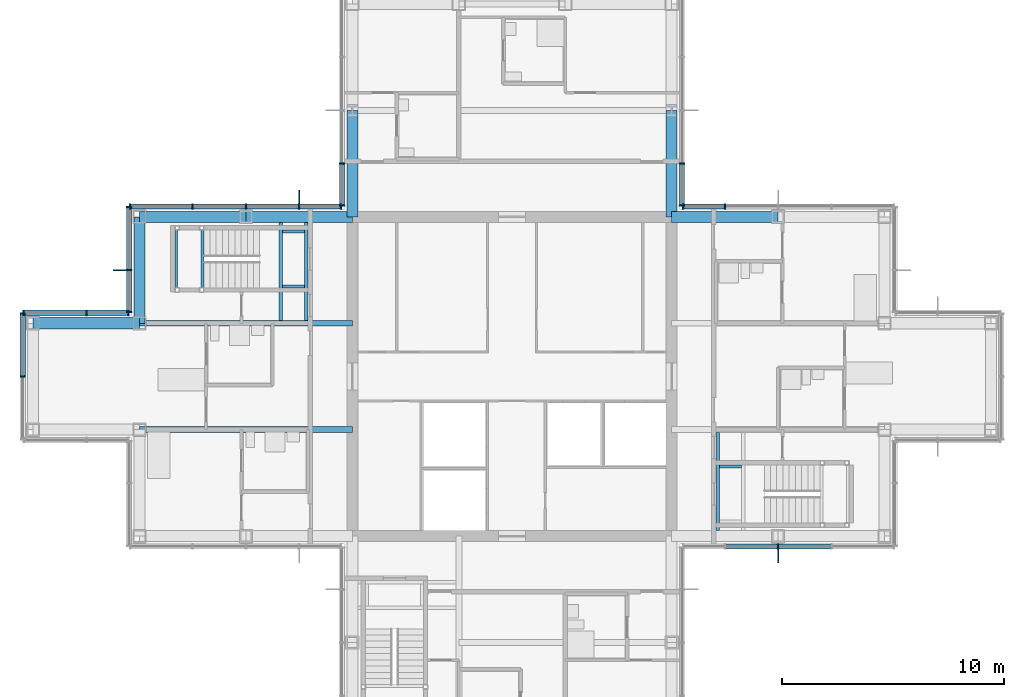
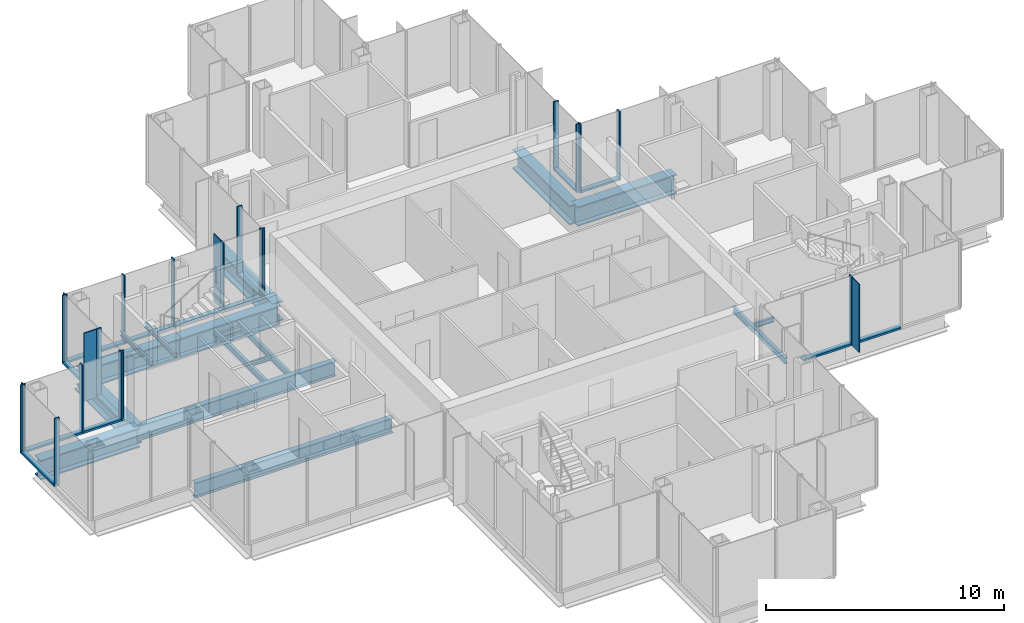
# One storey, part 7 of 17: 37 members, 17 beams, 8 elements without a shape of their own.
"""IFC4 building model written with IfcOpenShell, lengths in metres."""

from ifc_helpers import new_model, si_unit, direction, frame, origin, origin_2d, place, context, subcontext, project, spatial, rectangle, i_section, extrude, material, material_profile, profile_set, type_object, element, aggregate, save


model = new_model("IFC4")

# Units and contexts
model_context = context("Model", 3, precision=1e-05, world=origin(), true_north=direction((0.0, 1.0)))
body_context = subcontext(model_context, "Body", "Model", "MODEL_VIEW")
ifc_project = project(units=[si_unit("LENGTHUNIT", "METRE"), si_unit("AREAUNIT", "SQUARE_METRE"), si_unit("VOLUMEUNIT", "CUBIC_METRE"), si_unit("PLANEANGLEUNIT", "RADIAN"), si_unit("MASSUNIT", "GRAM", prefix="KILO")], contexts=[model_context])

# Site, building, storey
site_placement = place(None, origin())
site = spatial("IfcSite", under=ifc_project, at=site_placement, CompositionType="ELEMENT")
building_placement = place(site_placement, origin())
building = spatial("IfcBuilding", under=site, at=building_placement, Name="Kvirike Care Tower", CompositionType="ELEMENT")
storey_placement = place(building_placement, frame((0.0, 0.0, 169.0)))
storey = spatial("IfcBuildingStorey", under=building, at=storey_placement, Name="L46", CompositionType="ELEMENT", Elevation=169.0)

# Curtain wall, member
ifc_material_1 = material(Name="Anodised aluminium stick system", Category="aluminium")
curtain_wall_type = type_object("IfcCurtainWallType", Name="CW-C STICK CURTAIN WALL", PredefinedType="NOTDEFINED", material=ifc_material_1)
curtain_wall_1_placement = place(storey_placement, origin())
curtain_wall_1 = element("IfcCurtainWall", 1, at=curtain_wall_1_placement, inside=storey, type_object=curtain_wall_type, Name="Curtain wall L46 face 1", PredefinedType="NOTDEFINED")
ifc_material_2 = material(Name="Bronze anodised aluminium fin", Category="aluminium")
ifc_material_profile_1 = material_profile(ifc_material_2, rectangle(XDim=0.050048828125, YDim=0.60009765625, at=origin_2d()), Name="BRONZE FIN 600")
ifc_profile_set_1 = profile_set([ifc_material_profile_1], Name="Bronze anodised aluminium fin")
member_type_1 = type_object("IfcMemberType", Name="BRONZE FIN 600", PredefinedType="USERDEFINED", material=ifc_profile_set_1)
member_1_placement = place(storey_placement, frame((33.60009765625, 27.909912109375, 0.0), z_axis=(0.0, 0.0, 1.0), x_axis=(1.0, 0.0, 0.0)))
member_1 = element("IfcMember", 2, at=member_1_placement, type_object=member_type_1, Name="Bronze fin L46 face 1.3", ObjectType="FIN", PredefinedType="USERDEFINED", context=body_context, shape_type="SweptSolid", body=[
    extrude(rectangle(XDim=0.050048828125, YDim=0.60009765625, at=origin_2d()), origin(), (0.0, 0.0, 1.0), 3.5),
])

curtain_wall_2_placement = place(storey_placement, origin())
curtain_wall_2 = element("IfcCurtainWall", 3, at=curtain_wall_2_placement, inside=storey, type_object=curtain_wall_type, Name="Curtain wall L46 face 15", PredefinedType="NOTDEFINED")
member_2_placement = place(storey_placement, frame((12.0, 44.090087890625, 0.0), z_axis=(0.0, 0.0, 1.0), x_axis=(-1.0, 0.0, 0.0)))
member_2 = element("IfcMember", 4, at=member_2_placement, type_object=member_type_1, Name="Bronze fin L46 face 15.2", ObjectType="FIN", PredefinedType="USERDEFINED", context=body_context, shape_type="SweptSolid", body=[
    extrude(rectangle(XDim=0.050048828125, YDim=0.60009765625, at=origin_2d()), origin(), (0.0, 0.0, 1.0), 3.5),
])

curtain_wall_3_placement = place(storey_placement, origin())
curtain_wall_3 = element("IfcCurtainWall", 5, at=curtain_wall_3_placement, inside=storey, type_object=curtain_wall_type, Name="Curtain wall L46 face 16", PredefinedType="NOTDEFINED")
member_3_placement = place(storey_placement, frame((3.909912109375, 40.800048828125, 0.0), z_axis=(0.0, 0.0, 1.0), x_axis=(0.0, -1.0, 0.0)))
member_3 = element("IfcMember", 6, at=member_3_placement, type_object=member_type_1, Name="Bronze fin L46 face 16.2", ObjectType="FIN", PredefinedType="USERDEFINED", context=body_context, shape_type="SweptSolid", body=[
    extrude(rectangle(XDim=0.050048828125, YDim=0.60009765625, at=origin_2d()), origin(), (0.0, 0.0, 1.0), 3.5),
])

# Member
ifc_material_3 = material(Name="Bronze anodised aluminium mullion", Category="aluminium")
ifc_material_profile_2 = material_profile(ifc_material_3, rectangle(XDim=0.06494140625, YDim=0.239990234375, at=origin_2d()), Name="CW-C MULLION 65x240")
ifc_profile_set_2 = profile_set([ifc_material_profile_2], Name="Bronze anodised aluminium mullion")
member_type_2 = type_object("IfcMemberType", Name="CW-C MULLION 65x240", PredefinedType="MULLION", material=ifc_profile_set_2)
member_4_placement = place(storey_placement, frame((33.60009765625, 28.330078125, 0.0), z_axis=(0.0, 0.0, 1.0), x_axis=(1.0, 0.0, 0.0)))
member_4 = element("IfcMember", 7, at=member_4_placement, type_object=member_type_2, Name="CW-C mullion L46 face 1.3", PredefinedType="MULLION", context=body_context, shape_type="SweptSolid", body=[
    extrude(rectangle(XDim=0.06494140625, YDim=0.239990234375, at=origin_2d()), origin(), (0.0, 0.0, 1.0), 3.5),
])

# Curtain wall, members
curtain_wall_4_placement = place(storey_placement, origin())
curtain_wall_4 = element("IfcCurtainWall", 8, at=curtain_wall_4_placement, inside=storey, type_object=curtain_wall_type, Name="Curtain wall L46 face 7", PredefinedType="NOTDEFINED")
member_5_placement = place(storey_placement, frame((31.199951171875, 43.669921875, 0.0), z_axis=(0.0, 0.0, 1.0), x_axis=(-1.0, 0.0, 0.0)))
member_5 = element("IfcMember", 9, at=member_5_placement, type_object=member_type_2, Name="CW-C mullion L46 face 7.4", PredefinedType="MULLION", context=body_context, shape_type="SweptSolid", body=[
    extrude(rectangle(XDim=0.06494140625, YDim=0.239990234375, at=origin_2d()), origin(), (0.0, 0.0, 1.0), 3.5),
])
member_6_placement = place(storey_placement, frame((29.302490234375, 43.669921875, 0.0), z_axis=(0.0, 0.0, 1.0), x_axis=(-1.0, 0.0, 0.0)))
member_6 = element("IfcMember", 10, at=member_6_placement, type_object=member_type_2, Name="CW-C mullion L46 face 7.5", PredefinedType="MULLION", context=body_context, shape_type="SweptSolid", body=[
    extrude(rectangle(XDim=0.06494140625, YDim=0.239990234375, at=origin_2d()), origin(), (0.0, 0.0, 1.0), 3.5),
])

curtain_wall_5_placement = place(storey_placement, origin())
curtain_wall_5 = element("IfcCurtainWall", 11, at=curtain_wall_5_placement, inside=storey, type_object=curtain_wall_type, Name="Curtain wall L46 face 8", PredefinedType="NOTDEFINED")
member_7_placement = place(storey_placement, frame((29.27001953125, 43.702392578125, 0.0), z_axis=(0.0, 0.0, 1.0), x_axis=(0.0, 1.0, 0.0)))
member_7 = element("IfcMember", 12, at=member_7_placement, type_object=member_type_2, Name="CW-C mullion L46 face 8.1", PredefinedType="MULLION", context=body_context, shape_type="SweptSolid", body=[
    extrude(rectangle(XDim=0.06494140625, YDim=0.239990234375, at=origin_2d()), origin(), (0.0, 0.0, 1.0), 3.5),
])
member_8_placement = place(storey_placement, frame((29.27001953125, 45.60009765625, 0.0), z_axis=(0.0, 0.0, 1.0), x_axis=(0.0, 1.0, 0.0)))
member_8 = element("IfcMember", 13, at=member_8_placement, type_object=member_type_2, Name="CW-C mullion L46 face 8.2", PredefinedType="MULLION", context=body_context, shape_type="SweptSolid", body=[
    extrude(rectangle(XDim=0.06494140625, YDim=0.239990234375, at=origin_2d()), origin(), (0.0, 0.0, 1.0), 3.5),
])

curtain_wall_6_placement = place(storey_placement, origin())
curtain_wall_6 = element("IfcCurtainWall", 14, at=curtain_wall_6_placement, inside=storey, type_object=curtain_wall_type, Name="Curtain wall L46 face 14", PredefinedType="NOTDEFINED")
member_9_placement = place(storey_placement, frame((13.929931640625, 45.60009765625, 0.0), z_axis=(0.0, 0.0, 1.0), x_axis=(0.0, -1.0, 0.0)))
member_9 = element("IfcMember", 15, at=member_9_placement, type_object=member_type_2, Name="CW-C mullion L46 face 14.4", PredefinedType="MULLION", context=body_context, shape_type="SweptSolid", body=[
    extrude(rectangle(XDim=0.06494140625, YDim=0.239990234375, at=origin_2d()), origin(), (0.0, 0.0, 1.0), 3.5),
])
member_10_placement = place(storey_placement, frame((13.929931640625, 43.702392578125, 0.0), z_axis=(0.0, 0.0, 1.0), x_axis=(0.0, -1.0, 0.0)))
member_10 = element("IfcMember", 16, at=member_10_placement, type_object=member_type_2, Name="CW-C mullion L46 face 14.5", PredefinedType="MULLION", context=body_context, shape_type="SweptSolid", body=[
    extrude(rectangle(XDim=0.06494140625, YDim=0.239990234375, at=origin_2d()), origin(), (0.0, 0.0, 1.0), 3.5),
])

# Member
member_11_placement = place(storey_placement, frame((13.8974609375, 43.669921875, 0.0), z_axis=(0.0, 0.0, 1.0), x_axis=(-1.0, 0.0, 0.0)))
member_11 = element("IfcMember", 17, at=member_11_placement, type_object=member_type_2, Name="CW-C mullion L46 face 15.1", PredefinedType="MULLION", context=body_context, shape_type="SweptSolid", body=[
    extrude(rectangle(XDim=0.06494140625, YDim=0.239990234375, at=origin_2d()), origin(), (0.0, 0.0, 1.0), 3.5),
])

member_12_placement = place(storey_placement, frame((12.0, 43.669921875, 0.0), z_axis=(0.0, 0.0, 1.0), x_axis=(-1.0, 0.0, 0.0)))
member_12 = element("IfcMember", 18, at=member_12_placement, type_object=member_type_2, Name="CW-C mullion L46 face 15.2", PredefinedType="MULLION", context=body_context, shape_type="SweptSolid", body=[
    extrude(rectangle(XDim=0.06494140625, YDim=0.239990234375, at=origin_2d()), origin(), (0.0, 0.0, 1.0), 3.5),
])

member_13_placement = place(storey_placement, frame((9.60009765625, 43.669921875, 0.0), z_axis=(0.0, 0.0, 1.0), x_axis=(-1.0, 0.0, 0.0)))
member_13 = element("IfcMember", 19, at=member_13_placement, type_object=member_type_2, Name="CW-C mullion L46 face 15.3", PredefinedType="MULLION", context=body_context, shape_type="SweptSolid", body=[
    extrude(rectangle(XDim=0.06494140625, YDim=0.239990234375, at=origin_2d()), origin(), (0.0, 0.0, 1.0), 3.5),
])

member_14_placement = place(storey_placement, frame((7.199951171875, 43.669921875, 0.0), z_axis=(0.0, 0.0, 1.0), x_axis=(-1.0, 0.0, 0.0)))
member_14 = element("IfcMember", 20, at=member_14_placement, type_object=member_type_2, Name="CW-C mullion L46 face 15.4", PredefinedType="MULLION", context=body_context, shape_type="SweptSolid", body=[
    extrude(rectangle(XDim=0.06494140625, YDim=0.239990234375, at=origin_2d()), origin(), (0.0, 0.0, 1.0), 3.5),
])

member_15_placement = place(storey_placement, frame((4.362548828125, 43.669921875, 0.0), z_axis=(0.0, 0.0, 1.0), x_axis=(-1.0, 0.0, 0.0)))
member_15 = element("IfcMember", 21, at=member_15_placement, type_object=member_type_2, Name="CW-C mullion L46 face 15.5", PredefinedType="MULLION", context=body_context, shape_type="SweptSolid", body=[
    extrude(rectangle(XDim=0.06494140625, YDim=0.239990234375, at=origin_2d()), origin(), (0.0, 0.0, 1.0), 3.5),
])

member_16_placement = place(storey_placement, frame((4.330078125, 43.637451171875, 0.0), z_axis=(0.0, 0.0, 1.0), x_axis=(0.0, -1.0, 0.0)))
member_16 = element("IfcMember", 22, at=member_16_placement, type_object=member_type_2, Name="CW-C mullion L46 face 16.1", PredefinedType="MULLION", context=body_context, shape_type="SweptSolid", body=[
    extrude(rectangle(XDim=0.06494140625, YDim=0.239990234375, at=origin_2d()), origin(), (0.0, 0.0, 1.0), 3.5),
])

member_17_placement = place(storey_placement, frame((4.330078125, 40.800048828125, 0.0), z_axis=(0.0, 0.0, 1.0), x_axis=(0.0, -1.0, 0.0)))
member_17 = element("IfcMember", 23, at=member_17_placement, type_object=member_type_2, Name="CW-C mullion L46 face 16.2", PredefinedType="MULLION", context=body_context, shape_type="SweptSolid", body=[
    extrude(rectangle(XDim=0.06494140625, YDim=0.239990234375, at=origin_2d()), origin(), (0.0, 0.0, 1.0), 3.5),
])

member_18_placement = place(storey_placement, frame((4.330078125, 38.902587890625, 0.0), z_axis=(0.0, 0.0, 1.0), x_axis=(0.0, -1.0, 0.0)))
member_18 = element("IfcMember", 24, at=member_18_placement, type_object=member_type_2, Name="CW-C mullion L46 face 16.3", PredefinedType="MULLION", context=body_context, shape_type="SweptSolid", body=[
    extrude(rectangle(XDim=0.06494140625, YDim=0.239990234375, at=origin_2d()), origin(), (0.0, 0.0, 1.0), 3.5),
])

# Curtain wall, members
curtain_wall_7_placement = place(storey_placement, origin())
curtain_wall_7 = element("IfcCurtainWall", 25, at=curtain_wall_7_placement, inside=storey, type_object=curtain_wall_type, Name="Curtain wall L46 face 17", PredefinedType="NOTDEFINED")
member_19_placement = place(storey_placement, frame((4.297607421875, 38.8701171875, 0.0), z_axis=(0.0, 0.0, 1.0), x_axis=(-1.0, 0.0, 0.0)))
member_19 = element("IfcMember", 26, at=member_19_placement, type_object=member_type_2, Name="CW-C mullion L46 face 17.1", PredefinedType="MULLION", context=body_context, shape_type="SweptSolid", body=[
    extrude(rectangle(XDim=0.06494140625, YDim=0.239990234375, at=origin_2d()), origin(), (0.0, 0.0, 1.0), 3.5),
])
member_20_placement = place(storey_placement, frame((2.39990234375, 38.8701171875, 0.0), z_axis=(0.0, 0.0, 1.0), x_axis=(-1.0, 0.0, 0.0)))
member_20 = element("IfcMember", 27, at=member_20_placement, type_object=member_type_2, Name="CW-C mullion L46 face 17.2", PredefinedType="MULLION", context=body_context, shape_type="SweptSolid", body=[
    extrude(rectangle(XDim=0.06494140625, YDim=0.239990234375, at=origin_2d()), origin(), (0.0, 0.0, 1.0), 3.5),
])
member_21_placement = place(storey_placement, frame((-0.4375, 38.8701171875, 0.0), z_axis=(0.0, 0.0, 1.0), x_axis=(-1.0, 0.0, 0.0)))
member_21 = element("IfcMember", 28, at=member_21_placement, type_object=member_type_2, Name="CW-C mullion L46 face 17.3", PredefinedType="MULLION", context=body_context, shape_type="SweptSolid", body=[
    extrude(rectangle(XDim=0.06494140625, YDim=0.239990234375, at=origin_2d()), origin(), (0.0, 0.0, 1.0), 3.5),
])

curtain_wall_8_placement = place(storey_placement, origin())
curtain_wall_8 = element("IfcCurtainWall", 29, at=curtain_wall_8_placement, inside=storey, type_object=curtain_wall_type, Name="Curtain wall L46 face 18", PredefinedType="NOTDEFINED")
member_22_placement = place(storey_placement, frame((-0.469970703125, 38.83740234375, 0.0), z_axis=(0.0, 0.0, 1.0), x_axis=(0.0, -1.0, 0.0)))
member_22 = element("IfcMember", 30, at=member_22_placement, type_object=member_type_2, Name="CW-C mullion L46 face 18.1", PredefinedType="MULLION", context=body_context, shape_type="SweptSolid", body=[
    extrude(rectangle(XDim=0.06494140625, YDim=0.239990234375, at=origin_2d()), origin(), (0.0, 0.0, 1.0), 3.5),
])
member_23_placement = place(storey_placement, frame((-0.469970703125, 36.0, 0.0), z_axis=(0.0, 0.0, 1.0), x_axis=(0.0, -1.0, 0.0)))
member_23 = element("IfcMember", 31, at=member_23_placement, type_object=member_type_2, Name="CW-C mullion L46 face 18.2", PredefinedType="MULLION", context=body_context, shape_type="SweptSolid", body=[
    extrude(rectangle(XDim=0.06494140625, YDim=0.239990234375, at=origin_2d()), origin(), (0.0, 0.0, 1.0), 3.5),
])

# Member
ifc_material_4 = material(Name="Bronze anodised aluminium transom", Category="aluminium")
ifc_material_profile_3 = material_profile(ifc_material_4, rectangle(XDim=0.239990234375, YDim=0.10009765625, at=origin_2d()), Name="CW-C TRANSOM 240x100")
ifc_profile_set_3 = profile_set([ifc_material_profile_3], Name="Bronze anodised aluminium transom")
member_type_3 = type_object("IfcMemberType", Name="CW-C TRANSOM 240x100", PredefinedType="USERDEFINED", material=ifc_profile_set_3)
member_24_placement = place(storey_placement, frame((31.232421875, 28.330078125, 0.050048828125), z_axis=(1.0, 0.0, 0.0), x_axis=(0.0, 1.0, 0.0)))
member_24 = element("IfcMember", 32, at=member_24_placement, type_object=member_type_3, Name="CW-C sill transom L46 face 1.2", ObjectType="TRANSOM", PredefinedType="USERDEFINED", context=body_context, shape_type="SweptSolid", body=[
    extrude(rectangle(XDim=0.239990234375, YDim=0.10009765625, at=origin_2d()), origin(), (0.0, 0.0, 1.0), 2.3349609375),
])

member_25_placement = place(storey_placement, frame((33.632568359375, 28.330078125, 0.050048828125), z_axis=(1.0, 0.0, 0.0), x_axis=(0.0, 1.0, 0.0)))
member_25 = element("IfcMember", 33, at=member_25_placement, type_object=member_type_3, Name="CW-C sill transom L46 face 1.3", ObjectType="TRANSOM", PredefinedType="USERDEFINED", context=body_context, shape_type="SweptSolid", body=[
    extrude(rectangle(XDim=0.239990234375, YDim=0.10009765625, at=origin_2d()), origin(), (0.0, 0.0, 1.0), 2.3349609375),
])

aggregate(curtain_wall_1, [member_4, member_1, member_24, member_25])

member_26_placement = place(storey_placement, frame((31.16748046875, 43.669921875, 0.050048828125), z_axis=(-1.0, 0.0, 0.0), x_axis=(0.0, -1.0, 0.0)))
member_26 = element("IfcMember", 34, at=member_26_placement, type_object=member_type_3, Name="CW-C sill transom L46 face 7.4", ObjectType="TRANSOM", PredefinedType="USERDEFINED", context=body_context, shape_type="SweptSolid", body=[
    extrude(rectangle(XDim=0.239990234375, YDim=0.10009765625, at=origin_2d()), origin(), (0.0, 0.0, 1.0), 1.83251953125),
])

aggregate(curtain_wall_4, [member_5, member_6, member_26])

member_27_placement = place(storey_placement, frame((29.27001953125, 43.735107421875, 0.050048828125), z_axis=(0.0, 1.0, 0.0), x_axis=(-1.0, 0.0, 0.0)))
member_27 = element("IfcMember", 35, at=member_27_placement, type_object=member_type_3, Name="CW-C sill transom L46 face 8.1", ObjectType="TRANSOM", PredefinedType="USERDEFINED", context=body_context, shape_type="SweptSolid", body=[
    extrude(rectangle(XDim=0.239990234375, YDim=0.10009765625, at=origin_2d()), origin(), (0.0, 0.0, 1.0), 1.832275390625),
])

aggregate(curtain_wall_5, [member_7, member_8, member_27])

member_28_placement = place(storey_placement, frame((13.929931640625, 45.5673828125, 0.050048828125), z_axis=(0.0, -1.0, 0.0), x_axis=(1.0, 0.0, 0.0)))
member_28 = element("IfcMember", 36, at=member_28_placement, type_object=member_type_3, Name="CW-C sill transom L46 face 14.4", ObjectType="TRANSOM", PredefinedType="USERDEFINED", context=body_context, shape_type="SweptSolid", body=[
    extrude(rectangle(XDim=0.239990234375, YDim=0.10009765625, at=origin_2d()), origin(), (0.0, 0.0, 1.0), 1.832275390625),
])

aggregate(curtain_wall_6, [member_9, member_10, member_28])

member_29_placement = place(storey_placement, frame((13.864990234375, 43.669921875, 0.050048828125), z_axis=(-1.0, 0.0, 0.0), x_axis=(0.0, -1.0, 0.0)))
member_29 = element("IfcMember", 37, at=member_29_placement, type_object=member_type_3, Name="CW-C sill transom L46 face 15.1", ObjectType="TRANSOM", PredefinedType="USERDEFINED", context=body_context, shape_type="SweptSolid", body=[
    extrude(rectangle(XDim=0.239990234375, YDim=0.10009765625, at=origin_2d()), origin(), (0.0, 0.0, 1.0), 1.83251953125),
])

member_30_placement = place(storey_placement, frame((11.967529296875, 43.669921875, 0.050048828125), z_axis=(-1.0, 0.0, 0.0), x_axis=(0.0, -1.0, 0.0)))
member_30 = element("IfcMember", 38, at=member_30_placement, type_object=member_type_3, Name="CW-C sill transom L46 face 15.2", ObjectType="TRANSOM", PredefinedType="USERDEFINED", context=body_context, shape_type="SweptSolid", body=[
    extrude(rectangle(XDim=0.239990234375, YDim=0.10009765625, at=origin_2d()), origin(), (0.0, 0.0, 1.0), 2.3349609375),
])

member_31_placement = place(storey_placement, frame((9.5673828125, 43.669921875, 0.050048828125), z_axis=(-1.0, 0.0, 0.0), x_axis=(0.0, -1.0, 0.0)))
member_31 = element("IfcMember", 39, at=member_31_placement, type_object=member_type_3, Name="CW-C sill transom L46 face 15.3", ObjectType="TRANSOM", PredefinedType="USERDEFINED", context=body_context, shape_type="SweptSolid", body=[
    extrude(rectangle(XDim=0.239990234375, YDim=0.10009765625, at=origin_2d()), origin(), (0.0, 0.0, 1.0), 2.3349609375),
])

member_32_placement = place(storey_placement, frame((7.16748046875, 43.669921875, 0.050048828125), z_axis=(-1.0, 0.0, 0.0), x_axis=(0.0, -1.0, 0.0)))
member_32 = element("IfcMember", 40, at=member_32_placement, type_object=member_type_3, Name="CW-C sill transom L46 face 15.4", ObjectType="TRANSOM", PredefinedType="USERDEFINED", context=body_context, shape_type="SweptSolid", body=[
    extrude(rectangle(XDim=0.239990234375, YDim=0.10009765625, at=origin_2d()), origin(), (0.0, 0.0, 1.0), 2.7724609375),
])

aggregate(curtain_wall_2, [member_11, member_12, member_2, member_13, member_14, member_15, member_29, member_30, member_31, member_32])

member_33_placement = place(storey_placement, frame((4.330078125, 43.60498046875, 0.050048828125), z_axis=(0.0, -1.0, 0.0), x_axis=(1.0, 0.0, 0.0)))
member_33 = element("IfcMember", 41, at=member_33_placement, type_object=member_type_3, Name="CW-C sill transom L46 face 16.1", ObjectType="TRANSOM", PredefinedType="USERDEFINED", context=body_context, shape_type="SweptSolid", body=[
    extrude(rectangle(XDim=0.239990234375, YDim=0.10009765625, at=origin_2d()), origin(), (0.0, 0.0, 1.0), 2.7724609375),
])

member_34_placement = place(storey_placement, frame((4.330078125, 40.767578125, 0.050048828125), z_axis=(0.0, -1.0, 0.0), x_axis=(1.0, 0.0, 0.0)))
member_34 = element("IfcMember", 42, at=member_34_placement, type_object=member_type_3, Name="CW-C sill transom L46 face 16.2", ObjectType="TRANSOM", PredefinedType="USERDEFINED", context=body_context, shape_type="SweptSolid", body=[
    extrude(rectangle(XDim=0.239990234375, YDim=0.10009765625, at=origin_2d()), origin(), (0.0, 0.0, 1.0), 1.83251953125),
])

aggregate(curtain_wall_3, [member_16, member_17, member_3, member_18, member_33, member_34])

member_35_placement = place(storey_placement, frame((4.264892578125, 38.8701171875, 0.050048828125), z_axis=(-1.0, 0.0, 0.0), x_axis=(0.0, -1.0, 0.0)))
member_35 = element("IfcMember", 43, at=member_35_placement, type_object=member_type_3, Name="CW-C sill transom L46 face 17.1", ObjectType="TRANSOM", PredefinedType="USERDEFINED", context=body_context, shape_type="SweptSolid", body=[
    extrude(rectangle(XDim=0.239990234375, YDim=0.10009765625, at=origin_2d()), origin(), (0.0, 0.0, 1.0), 1.832275390625),
])

member_36_placement = place(storey_placement, frame((2.367431640625, 38.8701171875, 0.050048828125), z_axis=(-1.0, 0.0, 0.0), x_axis=(0.0, -1.0, 0.0)))
member_36 = element("IfcMember", 44, at=member_36_placement, type_object=member_type_3, Name="CW-C sill transom L46 face 17.2", ObjectType="TRANSOM", PredefinedType="USERDEFINED", context=body_context, shape_type="SweptSolid", body=[
    extrude(rectangle(XDim=0.239990234375, YDim=0.10009765625, at=origin_2d()), origin(), (0.0, 0.0, 1.0), 2.7724609375),
])

aggregate(curtain_wall_7, [member_19, member_20, member_21, member_35, member_36])

member_37_placement = place(storey_placement, frame((-0.469970703125, 38.804931640625, 0.050048828125), z_axis=(0.0, -1.0, 0.0), x_axis=(1.0, 0.0, 0.0)))
member_37 = element("IfcMember", 45, at=member_37_placement, type_object=member_type_3, Name="CW-C sill transom L46 face 18.1", ObjectType="TRANSOM", PredefinedType="USERDEFINED", context=body_context, shape_type="SweptSolid", body=[
    extrude(rectangle(XDim=0.239990234375, YDim=0.10009765625, at=origin_2d()), origin(), (0.0, 0.0, 1.0), 2.7724609375),
])

aggregate(curtain_wall_8, [member_22, member_23, member_37])

# Beams
ifc_material_5 = material(Name="Steel S355", Category="steel")
ifc_material_profile_4 = material_profile(ifc_material_5, i_section(OverallWidth=0.26806640625, OverallDepth=0.77001953125, WebThickness=0.015625, FlangeThickness=0.025390625, FilletRadius=0.01708984375, at=origin_2d()), Name="IPE 750x196")
ifc_profile_set_4 = profile_set([ifc_material_profile_4], Name="Steel S355")
beam_type_1 = type_object("IfcBeamType", Name="FLOOR BEAM IPE 750x196", PredefinedType="BEAM", material=ifc_profile_set_4)
for number, where, z_axis, x_axis, name in (
    (46, (4.800048828125, 33.60009765625, -0.554931640625), (1.0, 0.0, 0.0), (0.0, 1.0, 0.0), "Floor Beam H4-H6 L46"),
    (47, (4.800048828125, 38.39990234375, -0.554931640625), (1.0, 0.0, 0.0), (0.0, 1.0, 0.0), "Floor Beam J4-J6 L46"),
):
    element("IfcBeam", number, at=place(storey_placement, frame(where, z_axis=z_axis, x_axis=x_axis)), inside=storey, type_object=beam_type_1, Name=name, PredefinedType="BEAM", context=body_context, shape_type="SweptSolid", body=[
        extrude(i_section(OverallWidth=0.26806640625, OverallDepth=0.77001953125, WebThickness=0.015625, FlangeThickness=0.025390625, FilletRadius=0.01708984375, at=origin_2d()), origin(), (0.0, 0.0, 1.0), 9.599853515625),
    ])
ifc_material_6 = material(Name="Steel S355", Category="steel")
ifc_material_profile_5 = material_profile(ifc_material_6, i_section(OverallWidth=0.5, OverallDepth=1.0, WebThickness=0.030029296875, FlangeThickness=0.06005859375, at=origin_2d()), Name="PG 1000x500x30x60")
ifc_profile_set_5 = profile_set([ifc_material_profile_5], Name="Steel S355")
beam_type_2 = type_object("IfcBeamType", Name="SPANDREL PG 1000x500x30x60", PredefinedType="SPANDREL", material=ifc_profile_set_5)
for number, where, z_axis, x_axis, name in (
    (48, (0.0, 38.39990234375, -0.669921875), (1.0, 0.0, 0.0), (0.0, 1.0, 0.0), "Spandrel J3-J4 L46"),
    (49, (4.800048828125, 43.199951171875, -0.669921875), (1.0, 0.0, 0.0), (0.0, 1.0, 0.0), "Spandrel K4-K5 L46"),
):
    element("IfcBeam", number, at=place(storey_placement, frame(where, z_axis=z_axis, x_axis=x_axis)), inside=storey, type_object=beam_type_2, Name=name, PredefinedType="SPANDREL", context=body_context, shape_type="SweptSolid", body=[
        extrude(i_section(OverallWidth=0.5, OverallDepth=1.0, WebThickness=0.030029296875, FlangeThickness=0.06005859375, at=origin_2d()), origin(), (0.0, 0.0, 1.0), 4.800048828125),
    ])
beam_placement = place(storey_placement, frame((9.60009765625, 43.199951171875, -0.669921875), z_axis=(1.0, 0.0, 0.0), x_axis=(0.0, 1.0, 0.0)))
element("IfcBeam", 50, at=beam_placement, inside=storey, type_object=beam_type_2, Name="Spandrel K5-K6 L46", PredefinedType="SPANDREL", context=body_context, shape_type="SweptSolid", body=[
    extrude(i_section(OverallWidth=0.5, OverallDepth=1.0, WebThickness=0.030029296875, FlangeThickness=0.06005859375, at=origin_2d()), origin(), (0.0, 0.0, 1.0), 4.7998046875),
])
for number, where, z_axis, x_axis, name in (
    (51, (28.800048828125, 43.199951171875, -0.669921875), (1.0, 0.0, 0.0), (0.0, 1.0, 0.0), "Spandrel K9-K10 L46"),
    (52, (4.800048828125, 38.39990234375, -0.669921875), (0.0, 1.0, 0.0), (-1.0, 0.0, 0.0), "Spandrel J4-K4 L46"),
    (53, (14.39990234375, 43.199951171875, -0.669921875), (0.0, 1.0, 0.0), (-1.0, 0.0, 0.0), "Spandrel K6-L6 L46"),
    (54, (28.800048828125, 43.199951171875, -0.669921875), (0.0, 1.0, 0.0), (-1.0, 0.0, 0.0), "Spandrel K9-L9 L46"),
):
    element("IfcBeam", number, at=place(storey_placement, frame(where, z_axis=z_axis, x_axis=x_axis)), inside=storey, type_object=beam_type_2, Name=name, PredefinedType="SPANDREL", context=body_context, shape_type="SweptSolid", body=[
        extrude(i_section(OverallWidth=0.5, OverallDepth=1.0, WebThickness=0.030029296875, FlangeThickness=0.06005859375, at=origin_2d()), origin(), (0.0, 0.0, 1.0), 4.800048828125),
    ])
ifc_material_7 = material(Name="Steel S355", Category="steel")
ifc_material_profile_6 = material_profile(ifc_material_7, i_section(OverallWidth=0.1201171875, OverallDepth=0.239990234375, WebThickness=0.006103515625, FlangeThickness=0.009765625, FilletRadius=0.014892578125, at=origin_2d()), Name="IPE 240")
ifc_profile_set_6 = profile_set([ifc_material_profile_6], Name="Steel S355")
beam_type_3 = type_object("IfcBeamType", Name="STAIR LANDING BEAM IPE 240", PredefinedType="BEAM", material=ifc_profile_set_6)
for number, where, z_axis, x_axis, name in (
    (55, (6.4599609375, 42.60009765625, 1.429931640625), (0.0, -1.0, 0.0), (1.0, 0.0, 0.0), "Stair 1 landing beam back L46"),
    (56, (7.639892578125, 42.60009765625, 1.429931640625), (0.0, -1.0, 0.0), (1.0, 0.0, 0.0), "Stair 1 landing beam front L46"),
):
    element("IfcBeam", number, at=place(storey_placement, frame(where, z_axis=z_axis, x_axis=x_axis)), inside=storey, type_object=beam_type_3, Name=name, PredefinedType="BEAM", context=body_context, shape_type="SweptSolid", body=[
        extrude(i_section(OverallWidth=0.1201171875, OverallDepth=0.239990234375, WebThickness=0.006103515625, FlangeThickness=0.009765625, FilletRadius=0.014892578125, at=origin_2d()), origin(), (0.0, 0.0, 1.0), 2.60009765625),
    ])
for number, where, z_axis, x_axis, name in (
    (57, (11.25, 42.5400390625, -0.320068359375), (1.0, 0.0, 0.0), (0.0, 1.0, 0.0), "Stair 1 landing edge beam 1 L46"),
    (58, (11.25, 40.06005859375, -0.320068359375), (1.0, 0.0, 0.0), (0.0, 1.0, 0.0), "Stair 1 landing edge beam 2 L46"),
    (59, (31.949951171875, 31.93994140625, -0.320068359375), (-1.0, 0.0, 0.0), (0.0, -1.0, 0.0), "Stair 2 landing edge beam 2 L46"),
):
    element("IfcBeam", number, at=place(storey_placement, frame(where, z_axis=z_axis, x_axis=x_axis)), inside=storey, type_object=beam_type_3, Name=name, PredefinedType="BEAM", context=body_context, shape_type="SweptSolid", body=[
        extrude(i_section(OverallWidth=0.1201171875, OverallDepth=0.239990234375, WebThickness=0.006103515625, FlangeThickness=0.009765625, FilletRadius=0.014892578125, at=origin_2d()), origin(), (0.0, 0.0, 1.0), 1.0),
    ])
ifc_material_8 = material(Name="Steel S355", Category="steel")
ifc_material_profile_7 = material_profile(ifc_material_8, i_section(OverallWidth=0.14990234375, OverallDepth=0.300048828125, WebThickness=0.007080078125, FlangeThickness=0.0107421875, FilletRadius=0.014892578125, at=origin_2d()), Name="IPE 300")
ifc_profile_set_7 = profile_set([ifc_material_profile_7], Name="Steel S355")
beam_type_4 = type_object("IfcBeamType", Name="STAIR TRIMMER IPE 300", PredefinedType="BEAM", material=ifc_profile_set_7)
for number, where, z_axis, x_axis, name in (
    (60, (11.175048828125, 42.949951171875, -0.35009765625), (0.0, -1.0, 0.0), (1.0, 0.0, 0.0), "Stair 1 trimmer 1 L46"),
    (61, (12.324951171875, 42.949951171875, -0.35009765625), (0.0, -1.0, 0.0), (1.0, 0.0, 0.0), "Stair 1 trimmer 2 L46"),
    (62, (30.875, 29.050048828125, -0.35009765625), (0.0, 1.0, 0.0), (-1.0, 0.0, 0.0), "Stair 2 trimmer 2 L46"),
):
    element("IfcBeam", number, at=place(storey_placement, frame(where, z_axis=z_axis, x_axis=x_axis)), inside=storey, type_object=beam_type_4, Name=name, PredefinedType="BEAM", context=body_context, shape_type="SweptSolid", body=[
        extrude(i_section(OverallWidth=0.14990234375, OverallDepth=0.300048828125, WebThickness=0.007080078125, FlangeThickness=0.0107421875, FilletRadius=0.014892578125, at=origin_2d()), origin(), (0.0, 0.0, 1.0), 4.416015625),
    ])

save(model, "model.ifc")
